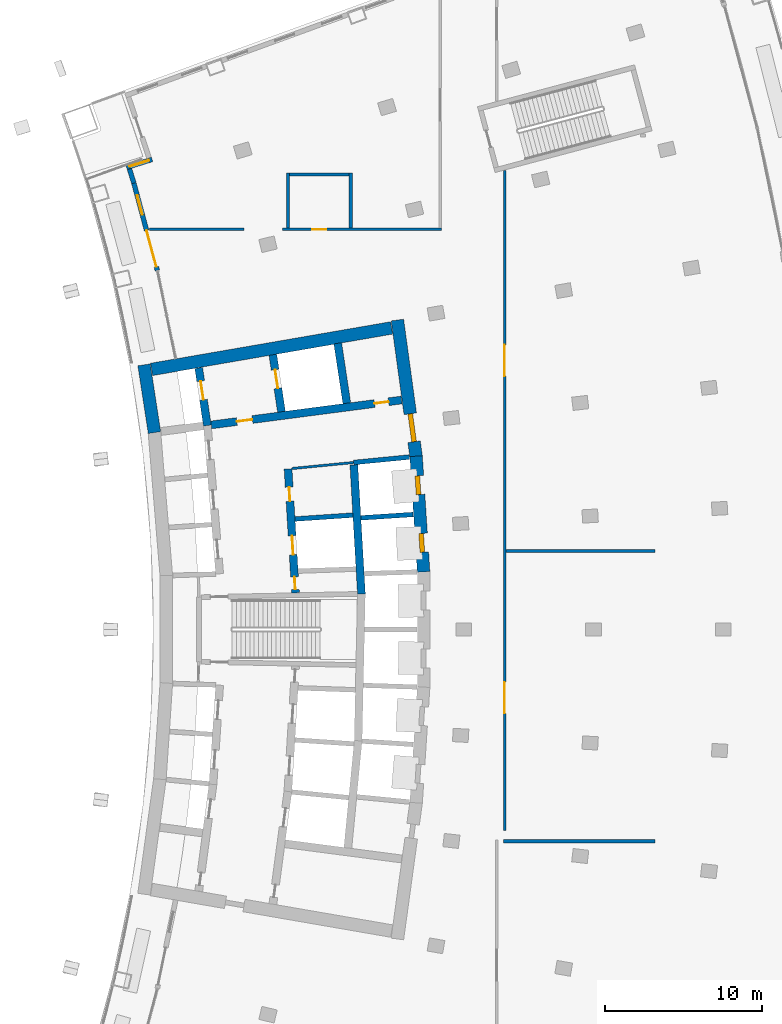
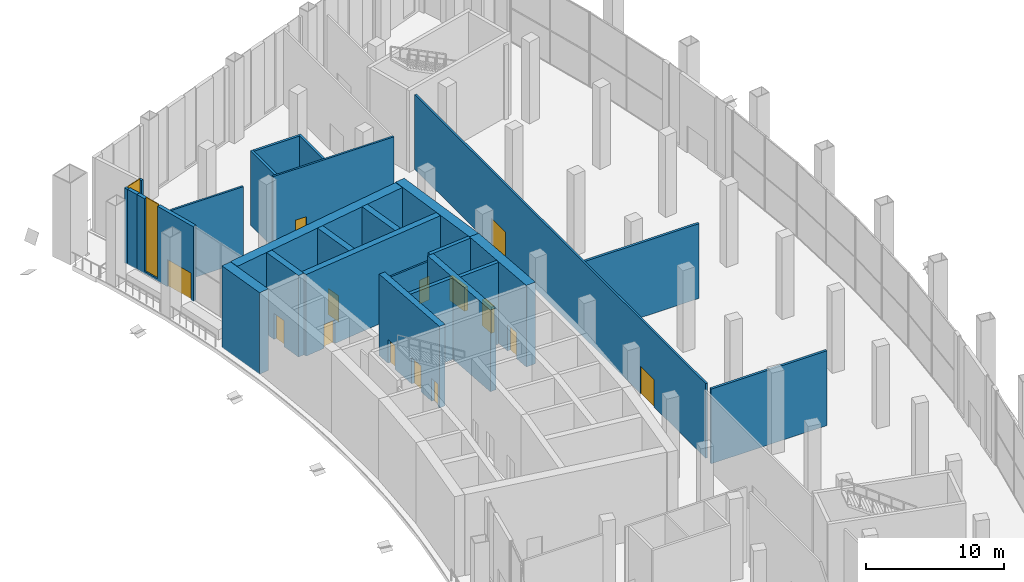
# One storey, part 11 of 18: 25 walls, 14 doors, 2 windows, 16 openings.
"""IFC4 building model written with IfcOpenShell, lengths in metres."""

from ifc_helpers import new_model, si_unit, direction, frame, frame_2d, origin, place, context, subcontext, project, spatial, rectangle, extrude, material, layer, layer_set, type_object, element, fill, save


model = new_model("IFC4")

# Units and contexts
model_context = context("Model", 3, precision=1e-05, world=origin(), true_north=direction((0.0, 1.0)))
body_context = subcontext(model_context, "Body", "Model", "MODEL_VIEW")
ifc_project = project(units=[si_unit("LENGTHUNIT", "METRE"), si_unit("AREAUNIT", "SQUARE_METRE"), si_unit("VOLUMEUNIT", "CUBIC_METRE"), si_unit("PLANEANGLEUNIT", "RADIAN"), si_unit("MASSUNIT", "GRAM", prefix="KILO")], contexts=[model_context])

# Site, building, storey
site_placement = place(None, origin())
site = spatial("IfcSite", under=ifc_project, at=site_placement, CompositionType="ELEMENT")
building_placement = place(site_placement, origin())
building = spatial("IfcBuilding", under=site, at=building_placement, Name="Alderwake Tower", CompositionType="ELEMENT")
storey_placement = place(building_placement, frame((0.0, 0.0, 125.60009765625)))
storey = spatial("IfcBuildingStorey", under=building, at=storey_placement, Name="L31", CompositionType="ELEMENT", Elevation=125.60009765625)

# Walls
ifc_material_1 = material(Name="Gypsum shaft wall system, rated")
ifc_layer_1 = layer(ifc_material_1, 0.14990234375)
ifc_layer_set_1 = layer_set([ifc_layer_1], Name="Core room partition 150")
wall_type_1 = type_object("IfcWallType", Name="Core room partition 150", PredefinedType="PARTITIONING", material=ifc_layer_set_1)
wall_1_placement = place(storey_placement, frame((24.849365234375, 71.259765625, 0.0), z_axis=(0.0, 0.0, 1.0), x_axis=(0.995250272402, 0.097349346605, 0.0)))
element("IfcWall", 1, at=wall_1_placement, inside=storey, type_object=wall_type_1, Name="CW/L31/PR+102_+86", PredefinedType="PARTITIONING", context=body_context, shape_type="SweptSolid", body=[
    extrude(rectangle(XDim=3.949951171875, YDim=0.14990234375, at=frame_2d((1.97509765625, 0.0))), origin(), (0.0, 0.0, 1.0), 6.599853515625),
])
ifc_material_2 = material(Name="Concrete C70/85", Category="concrete")
ifc_layer_2 = layer(ifc_material_2, 0.800048828125)
ifc_layer_set_2 = layer_set([ifc_layer_2], Name="Core wall outer 800 C70-85")
wall_type_2 = type_object("IfcWallType", Name="Core wall outer 800 C70-85", PredefinedType="SHEAR", material=ifc_layer_set_2)
wall_2_placement = place(storey_placement, frame((16.083984375, 73.552490234375, 0.0), z_axis=(0.0, 0.0, 1.0), x_axis=(-0.151981606421, 0.988383322052, 0.0)))
element("IfcWall", 2, at=wall_2_placement, inside=storey, type_object=wall_type_2, Name="Core wall CW.039", PredefinedType="SHEAR", context=body_context, shape_type="SweptSolid", body=[
    extrude(rectangle(XDim=4.369384765625, YDim=0.800048828125, at=frame_2d((2.1845703125, 0.0))), origin(), (0.0, 0.0, 1.0), 7.199951171875),
])

# Wall, openings, doors
wall_3_placement = place(storey_placement, frame((33.240966796875, 64.669677734375, 0.0), z_axis=(0.0, 0.0, 1.0), x_axis=(-0.064976219143, 0.997886812693, 0.0)))
wall_3 = element("IfcWall", 3, at=wall_3_placement, inside=storey, type_object=wall_type_2, Name="Core wall CW.010", PredefinedType="SHEAR", context=body_context, shape_type="SweptSolid", body=[
    extrude(rectangle(XDim=7.39453125, YDim=0.800048828125, at=frame_2d((3.697265625, 0.0))), origin(), (0.0, 0.0, 1.0), 7.199951171875),
])
opening_1_placement = place(wall_3_placement, frame((1.2548828125, 0.0, 0.0)))
opening_1 = element("IfcOpeningElement", 4, at=opening_1_placement, cuts=wall_3, Name="Opening LD-HP5", PredefinedType="OPENING", context=body_context, shape_type="SweptSolid", body=[
    extrude(rectangle(XDim=1.199951171875, YDim=2.300048828125, at=frame_2d((0.60009765625, 1.14990234375))), frame((0.0, 0.409912109375, 0.0), z_axis=(0.0, -1.0, 0.0), x_axis=(1.0, 0.0, 0.0)), (0.0, 0.0, 1.0), 0.820068359375),
])
opening_2_placement = place(wall_3_placement, frame((4.9384765625, 0.0, 0.0)))
opening_2 = element("IfcOpeningElement", 5, at=opening_2_placement, cuts=wall_3, Name="Opening LD-HP6", PredefinedType="OPENING", context=body_context, shape_type="SweptSolid", body=[
    extrude(rectangle(XDim=1.199951171875, YDim=2.300048828125, at=frame_2d((0.60009765625, 1.14990234375))), frame((0.0, 0.409912109375, 0.0), z_axis=(0.0, -1.0, 0.0), x_axis=(1.0, 0.0, 0.0)), (0.0, 0.0, 1.0), 0.820068359375),
])
ifc_material_3 = material(Name="Stainless steel sliding leaf", Category="steel")
door_type_1 = type_object("IfcDoorType", Name="Lift landing door 1200", OperationType="SLIDING_TO_LEFT", PredefinedType="DOOR", material=ifc_material_3)
door_1_placement = place(opening_1_placement, origin())
door_1 = element("IfcDoor", 6, at=door_1_placement, inside=storey, type_object=door_type_1, Name="Lift landing door HP5", OperationType="SLIDING_TO_LEFT", OverallHeight=2.300048828125, OverallWidth=1.199951171875, PredefinedType="DOOR", context=body_context, shape_type="SweptSolid", body=[
    extrude(rectangle(XDim=1.199951171875, YDim=2.300048828125, at=frame_2d((0.60009765625, 1.14990234375))), frame((0.0, 0.14990234375, 0.0), z_axis=(0.0, -1.0, 0.0), x_axis=(1.0, 0.0, 0.0)), (0.0, 0.0, 1.0), 0.300048828125),
])
fill(opening_1, door_1)
door_2_placement = place(opening_2_placement, origin())
door_2 = element("IfcDoor", 7, at=door_2_placement, inside=storey, type_object=door_type_1, Name="Lift landing door HP6", OperationType="SLIDING_TO_LEFT", OverallHeight=2.300048828125, OverallWidth=1.199951171875, PredefinedType="DOOR", context=body_context, shape_type="SweptSolid", body=[
    extrude(rectangle(XDim=1.199951171875, YDim=2.300048828125, at=frame_2d((0.60009765625, 1.14990234375))), frame((0.0, 0.14990234375, 0.0), z_axis=(0.0, -1.0, 0.0), x_axis=(1.0, 0.0, 0.0)), (0.0, 0.0, 1.0), 0.300048828125),
])
fill(opening_2, door_2)

# Wall, opening, door
wall_4_placement = place(storey_placement, frame((31.569580078125, 80.7265625, 0.0), z_axis=(0.0, 0.0, 1.0), x_axis=(0.135838347444, -0.990731014637, 0.0)))
wall_4 = element("IfcWall", 8, at=wall_4_placement, inside=storey, type_object=wall_type_2, Name="Core wall CW.009", PredefinedType="SHEAR", context=body_context, shape_type="SweptSolid", body=[
    extrude(rectangle(XDim=8.788818359375, YDim=0.800048828125, at=frame_2d((4.39453125, 0.0))), origin(), (0.0, 0.0, 1.0), 7.199951171875),
])
opening_3_placement = place(wall_4_placement, frame((6.032958984375, 0.0, 0.0)))
opening_3 = element("IfcOpeningElement", 9, at=opening_3_placement, cuts=wall_4, Name="Opening C001", PredefinedType="OPENING", context=body_context, shape_type="SweptSolid", body=[
    extrude(rectangle(XDim=1.800048828125, YDim=2.10009765625, at=frame_2d((0.89990234375, 1.050048828125))), frame((0.0, 0.409912109375, 0.0), z_axis=(0.0, -1.0, 0.0), x_axis=(1.0, 0.0, 0.0)), (0.0, 0.0, 1.0), 0.820068359375),
])
ifc_material_4 = material(Name="Steel-framed fire door leaves", Category="steel")
door_type_2 = type_object("IfcDoorType", Name="Core double door 1800 fire-rated", OperationType="DOUBLE_DOOR_SINGLE_SWING", PredefinedType="DOOR", material=ifc_material_4)
door_3_placement = place(opening_3_placement, origin())
door_3 = element("IfcDoor", 10, at=door_3_placement, inside=storey, type_object=door_type_2, Name="Lobby double door", OperationType="DOUBLE_DOOR_SINGLE_SWING", OverallHeight=2.10009765625, OverallWidth=1.800048828125, PredefinedType="DOOR", context=body_context, shape_type="SweptSolid", body=[
    extrude(rectangle(XDim=1.800048828125, YDim=2.10009765625, at=frame_2d((0.89990234375, 1.050048828125))), frame((0.0, 0.14990234375, 0.0), z_axis=(0.0, -1.0, 0.0), x_axis=(1.0, 0.0, 0.0)), (0.0, 0.0, 1.0), 0.300048828125),
])
fill(opening_3, door_3)

# Walls
wall_5_placement = place(storey_placement, frame((15.900146484375, 77.577880859375, 0.0), z_axis=(0.0, 0.0, 1.0), x_axis=(0.985386601125, 0.170332751763, 0.0)))
element("IfcWall", 11, at=wall_5_placement, inside=storey, type_object=wall_type_2, Name="Core wall CW.054", PredefinedType="SHEAR", context=body_context, shape_type="SweptSolid", body=[
    extrude(rectangle(XDim=15.531494140625, YDim=0.800048828125, at=frame_2d((7.765625, 0.0))), origin(), (0.0, 0.0, 1.0), 7.199951171875),
])
ifc_material_5 = material(Name="Concrete C70/85", Category="concrete")
ifc_layer_3 = layer(ifc_material_5, 0.300048828125)
ifc_layer_set_3 = layer_set([ifc_layer_3], Name="Core wall shaft 300 C70-85")
wall_type_3 = type_object("IfcWallType", Name="Core wall shaft 300 C70-85", PredefinedType="SHEAR", material=ifc_layer_set_3)
wall_6_placement = place(storey_placement, frame((29.243408203125, 68.11376953125, 0.0), z_axis=(0.0, 0.0, 1.0), x_axis=(0.997885372829, 0.0649983284, 0.0)))
element("IfcWall", 12, at=wall_6_placement, inside=storey, type_object=wall_type_3, Name="Core wall CW.061", PredefinedType="SHEAR", context=body_context, shape_type="SweptSolid", body=[
    extrude(rectangle(XDim=3.33544921875, YDim=0.300048828125, at=frame_2d((1.667724609375, 0.0))), origin(), (0.0, 0.0, 1.0), 7.199951171875),
])
wall_7_placement = place(storey_placement, frame((25.042236328125, 68.0419921875, 0.0), z_axis=(0.0, 0.0, 1.0), x_axis=(0.997761434239, 0.066873913781, 0.0)))
element("IfcWall", 13, at=wall_7_placement, inside=storey, type_object=wall_type_3, Name="Core wall CW.063", PredefinedType="SHEAR", context=body_context, shape_type="SweptSolid", body=[
    extrude(rectangle(XDim=3.6982421875, YDim=0.300048828125, at=frame_2d((1.84912109375, 0.0))), origin(), (0.0, 0.0, 1.0), 7.199951171875),
])
wall_8_placement = place(storey_placement, frame((28.780517578125, 71.644287109375, 0.0), z_axis=(0.0, 0.0, 1.0), x_axis=(0.995246218868, 0.097390778977, 0.0)))
element("IfcWall", 14, at=wall_8_placement, inside=storey, type_object=wall_type_3, Name="Core wall CW.049", PredefinedType="SHEAR", context=body_context, shape_type="SweptSolid", body=[
    extrude(rectangle(XDim=3.56982421875, YDim=0.300048828125, at=frame_2d((1.784912109375, 0.0))), origin(), (0.0, 0.0, 1.0), 7.199951171875),
])

# Wall, opening, door
ifc_material_6 = material(Name="Concrete C70/85", Category="concrete")
ifc_layer_4 = layer(ifc_material_6, 0.5)
ifc_layer_set_4 = layer_set([ifc_layer_4], Name="Core wall spine 500 C70-85")
wall_type_4 = type_object("IfcWallType", Name="Core wall spine 500 C70-85", PredefinedType="SHEAR", material=ifc_layer_set_4)
wall_9_placement = place(storey_placement, frame((19.4541015625, 73.9990234375, 0.0), z_axis=(0.0, 0.0, 1.0), x_axis=(-0.14792928808, 0.988997940204, 0.0)))
wall_9 = element("IfcWall", 15, at=wall_9_placement, inside=storey, type_object=wall_type_4, Name="Core wall CW.030", PredefinedType="SHEAR", context=body_context, shape_type="SweptSolid", body=[
    extrude(rectangle(XDim=3.716552734375, YDim=0.5, at=frame_2d((1.8583984375, 0.0))), origin(), (0.0, 0.0, 1.0), 7.199951171875),
])
opening_4_placement = place(wall_9_placement, frame((1.66259765625, 0.0, 0.0)))
opening_4 = element("IfcOpeningElement", 16, at=opening_4_placement, cuts=wall_9, Name="Opening LD-FF1", PredefinedType="OPENING", context=body_context, shape_type="SweptSolid", body=[
    extrude(rectangle(XDim=1.199951171875, YDim=2.300048828125, at=frame_2d((0.60009765625, 1.14990234375))), frame((0.0, 0.260009765625, 0.0), z_axis=(0.0, -1.0, 0.0), x_axis=(1.0, 0.0, 0.0)), (0.0, 0.0, 1.0), 0.52001953125),
])
door_4_placement = place(opening_4_placement, origin())
door_4 = element("IfcDoor", 17, at=door_4_placement, inside=storey, type_object=door_type_1, Name="Lift landing door FF1", OperationType="SLIDING_TO_LEFT", OverallHeight=2.300048828125, OverallWidth=1.199951171875, PredefinedType="DOOR", context=body_context, shape_type="SweptSolid", body=[
    extrude(rectangle(XDim=1.199951171875, YDim=2.300048828125, at=frame_2d((0.60009765625, 1.14990234375))), frame((0.0, 0.02490234375, 0.0), z_axis=(0.0, -1.0, 0.0), x_axis=(1.0, 0.0, 0.0)), (0.0, 0.0, 1.0), 0.050048828125),
])
fill(opening_4, door_4)

# Wall, openings, doors
wall_10_placement = place(storey_placement, frame((25.073974609375, 63.335693359375, 0.0), z_axis=(0.0, 0.0, 1.0), x_axis=(-0.059848641072, 0.998207463487, 0.0)))
wall_10 = element("IfcWall", 18, at=wall_10_placement, inside=storey, type_object=wall_type_4, Name="Core wall CW.045", PredefinedType="SHEAR", context=body_context, shape_type="SweptSolid", body=[
    extrude(rectangle(XDim=7.913818359375, YDim=0.5, at=frame_2d((3.95703125, 0.0))), origin(), (0.0, 0.0, 1.0), 7.199951171875),
])
opening_5_placement = place(wall_10_placement, frame((2.440185546875, 0.0, 0.0)))
opening_5 = element("IfcOpeningElement", 19, at=opening_5_placement, cuts=wall_10, Name="Opening LD-SH4", PredefinedType="OPENING", context=body_context, shape_type="SweptSolid", body=[
    extrude(rectangle(XDim=1.199951171875, YDim=2.300048828125, at=frame_2d((0.60009765625, 1.14990234375))), frame((0.0, 0.260009765625, 0.0), z_axis=(0.0, -1.0, 0.0), x_axis=(1.0, 0.0, 0.0)), (0.0, 0.0, 1.0), 0.52001953125),
])
opening_6_placement = place(wall_10_placement, frame((0.216064453125, 0.0, 0.0)))
opening_6 = element("IfcOpeningElement", 20, at=opening_6_placement, cuts=wall_10, Name="Opening C005", PredefinedType="OPENING", context=body_context, shape_type="SweptSolid", body=[
    extrude(rectangle(XDim=0.800048828125, YDim=2.0, at=frame_2d((0.39990234375, 1.0))), frame((0.0, 0.260009765625, 0.0), z_axis=(0.0, -1.0, 0.0), x_axis=(1.0, 0.0, 0.0)), (0.0, 0.0, 1.0), 0.52001953125),
])
opening_7_placement = place(wall_10_placement, frame((5.856201171875, 0.0, 0.0)))
opening_7 = element("IfcOpeningElement", 21, at=opening_7_placement, cuts=wall_10, Name="Opening C023", PredefinedType="OPENING", context=body_context, shape_type="SweptSolid", body=[
    extrude(rectangle(XDim=0.89990234375, YDim=2.10009765625, at=frame_2d((0.449951171875, 1.050048828125))), frame((0.0, 0.260009765625, 0.0), z_axis=(0.0, -1.0, 0.0), x_axis=(1.0, 0.0, 0.0)), (0.0, 0.0, 1.0), 0.52001953125),
])
ifc_material_7 = material(Name="Painted steel leaf", Category="steel")
door_type_3 = type_object("IfcDoorType", Name="Core room door 900", OperationType="SINGLE_SWING_LEFT", PredefinedType="DOOR", material=ifc_material_7)
door_5_placement = place(opening_7_placement, origin())
door_5 = element("IfcDoor", 22, at=door_5_placement, inside=storey, type_object=door_type_3, Name="Room door", OperationType="SINGLE_SWING_RIGHT", OverallHeight=2.10009765625, OverallWidth=0.89990234375, PredefinedType="DOOR", context=body_context, shape_type="SweptSolid", body=[
    extrude(rectangle(XDim=0.89990234375, YDim=2.10009765625, at=frame_2d((0.449951171875, 1.050048828125))), frame((0.0, 0.02490234375, 0.0), z_axis=(0.0, -1.0, 0.0), x_axis=(1.0, 0.0, 0.0)), (0.0, 0.0, 1.0), 0.050048828125),
])
fill(opening_7, door_5)
door_6_placement = place(opening_5_placement, origin())
door_6 = element("IfcDoor", 23, at=door_6_placement, inside=storey, type_object=door_type_1, Name="Lift landing door SH4", OperationType="SLIDING_TO_LEFT", OverallHeight=2.300048828125, OverallWidth=1.199951171875, PredefinedType="DOOR", context=body_context, shape_type="SweptSolid", body=[
    extrude(rectangle(XDim=1.199951171875, YDim=2.300048828125, at=frame_2d((0.60009765625, 1.14990234375))), frame((0.0, 0.02490234375, 0.0), z_axis=(0.0, -1.0, 0.0), x_axis=(1.0, 0.0, 0.0)), (0.0, 0.0, 1.0), 0.050048828125),
])
fill(opening_5, door_6)
ifc_material_8 = material(Name="Painted steel leaf, rated", Category="steel")
door_type_4 = type_object("IfcDoorType", Name="Riser access door 800", OperationType="SINGLE_SWING_LEFT", PredefinedType="DOOR", material=ifc_material_8)
door_7_placement = place(opening_6_placement, origin())
door_7 = element("IfcDoor", 24, at=door_7_placement, inside=storey, type_object=door_type_4, Name="Riser access door", OperationType="SINGLE_SWING_LEFT", OverallHeight=2.0, OverallWidth=0.800048828125, PredefinedType="DOOR", context=body_context, shape_type="SweptSolid", body=[
    extrude(rectangle(XDim=0.800048828125, YDim=2.0, at=frame_2d((0.39990234375, 1.0))), frame((0.0, 0.02490234375, 0.0), z_axis=(0.0, -1.0, 0.0), x_axis=(1.0, 0.0, 0.0)), (0.0, 0.0, 1.0), 0.050048828125),
])
fill(opening_6, door_7)

# Wall, opening, door
wall_11_placement = place(storey_placement, frame((24.1796875, 74.878173828125, 0.0), z_axis=(0.0, 0.0, 1.0), x_axis=(-0.149334835296, 0.988786684259, 0.0)))
wall_11 = element("IfcWall", 25, at=wall_11_placement, inside=storey, type_object=wall_type_4, Name="Core wall CW.044", PredefinedType="SHEAR", context=body_context, shape_type="SweptSolid", body=[
    extrude(rectangle(XDim=3.673583984375, YDim=0.5, at=frame_2d((1.8369140625, 0.0))), origin(), (0.0, 0.0, 1.0), 7.199951171875),
])
opening_8_placement = place(wall_11_placement, frame((1.51171875, 0.0, 0.0)))
opening_8 = element("IfcOpeningElement", 26, at=opening_8_placement, cuts=wall_11, Name="Opening LD-FF2", PredefinedType="OPENING", context=body_context, shape_type="SweptSolid", body=[
    extrude(rectangle(XDim=1.199951171875, YDim=2.300048828125, at=frame_2d((0.60009765625, 1.14990234375))), frame((0.0, 0.260009765625, 0.0), z_axis=(0.0, -1.0, 0.0), x_axis=(1.0, 0.0, 0.0)), (0.0, 0.0, 1.0), 0.52001953125),
])
door_8_placement = place(opening_8_placement, origin())
door_8 = element("IfcDoor", 27, at=door_8_placement, inside=storey, type_object=door_type_1, Name="Lift landing door FF2", OperationType="SLIDING_TO_LEFT", OverallHeight=2.300048828125, OverallWidth=1.199951171875, PredefinedType="DOOR", context=body_context, shape_type="SweptSolid", body=[
    extrude(rectangle(XDim=1.199951171875, YDim=2.300048828125, at=frame_2d((0.60009765625, 1.14990234375))), frame((0.0, 0.02490234375, 0.0), z_axis=(0.0, -1.0, 0.0), x_axis=(1.0, 0.0, 0.0)), (0.0, 0.0, 1.0), 0.050048828125),
])
fill(opening_8, door_8)

# Walls
wall_12_placement = place(storey_placement, frame((29.277099609375, 63.2626953125, 0.0), z_axis=(0.0, 0.0, 1.0), x_axis=(-0.058470375432, 0.998289144084, 0.0)))
element("IfcWall", 28, at=wall_12_placement, inside=storey, type_object=wall_type_4, Name="Core wall CW.002", PredefinedType="SHEAR", context=body_context, shape_type="SweptSolid", body=[
    extrude(rectangle(XDim=8.24658203125, YDim=0.5, at=frame_2d((4.123291015625, 0.0))), origin(), (0.0, 0.0, 1.0), 7.199951171875),
])
wall_13_placement = place(storey_placement, frame((28.34423828125, 75.4228515625, 0.0), z_axis=(0.0, 0.0, 1.0), x_axis=(-0.14943460482, 0.988771611082, 0.0)))
element("IfcWall", 29, at=wall_13_placement, inside=storey, type_object=wall_type_4, Name="Core wall CW.001", PredefinedType="SHEAR", context=body_context, shape_type="SweptSolid", body=[
    extrude(rectangle(XDim=3.8623046875, YDim=0.5, at=frame_2d((1.93115234375, 0.0))), origin(), (0.0, 0.0, 1.0), 7.199951171875),
])

# Wall, openings, doors
wall_14_placement = place(storey_placement, frame((31.834716796875, 75.627197265625, 0.0), z_axis=(0.0, 0.0, 1.0), x_axis=(-0.991555516999, -0.129682908318, 0.0)))
wall_14 = element("IfcWall", 30, at=wall_14_placement, inside=storey, type_object=wall_type_4, Name="Core wall CW.052", PredefinedType="SHEAR", context=body_context, shape_type="SweptSolid", body=[
    extrude(rectangle(XDim=12.23681640625, YDim=0.5, at=frame_2d((6.118408203125, 0.0))), origin(), (0.0, 0.0, 1.0), 7.199951171875),
])
opening_9_placement = place(wall_14_placement, frame((9.587158203125, 0.0, 0.0)))
opening_9 = element("IfcOpeningElement", 31, at=opening_9_placement, cuts=wall_14, Name="Opening C002", PredefinedType="OPENING", context=body_context, shape_type="SweptSolid", body=[
    extrude(rectangle(XDim=1.0, YDim=2.10009765625, at=frame_2d((0.5, 1.050048828125))), frame((0.0, 0.260009765625, 0.0), z_axis=(0.0, -1.0, 0.0), x_axis=(1.0, 0.0, 0.0)), (0.0, 0.0, 1.0), 0.52001953125),
])
opening_10_placement = place(wall_14_placement, frame((0.837158203125, 0.0, 0.0)))
opening_10 = element("IfcOpeningElement", 32, at=opening_10_placement, cuts=wall_14, Name="Opening C020", PredefinedType="OPENING", context=body_context, shape_type="SweptSolid", body=[
    extrude(rectangle(XDim=0.89990234375, YDim=2.10009765625, at=frame_2d((0.449951171875, 1.050048828125))), frame((0.0, 0.260009765625, 0.0), z_axis=(0.0, -1.0, 0.0), x_axis=(1.0, 0.0, 0.0)), (0.0, 0.0, 1.0), 0.52001953125),
])
door_9_placement = place(opening_10_placement, origin())
door_9 = element("IfcDoor", 33, at=door_9_placement, inside=storey, type_object=door_type_3, Name="Room door", OperationType="SINGLE_SWING_LEFT", OverallHeight=2.10009765625, OverallWidth=0.89990234375, PredefinedType="DOOR", context=body_context, shape_type="SweptSolid", body=[
    extrude(rectangle(XDim=0.89990234375, YDim=2.10009765625, at=frame_2d((0.449951171875, 1.050048828125))), frame((0.0, 0.02490234375, 0.0), z_axis=(0.0, -1.0, 0.0), x_axis=(1.0, 0.0, 0.0)), (0.0, 0.0, 1.0), 0.050048828125),
])
fill(opening_10, door_9)
ifc_material_9 = material(Name="Steel-framed fire door leaf", Category="steel")
door_type_5 = type_object("IfcDoorType", Name="Firefighting lobby door 1000 fire-rated", OperationType="SINGLE_SWING_LEFT", PredefinedType="DOOR", material=ifc_material_9)
door_10_placement = place(opening_9_placement, origin())
door_10 = element("IfcDoor", 34, at=door_10_placement, inside=storey, type_object=door_type_5, Name="Firefighting lobby door", OperationType="SINGLE_SWING_RIGHT", OverallHeight=2.10009765625, OverallWidth=1.0, PredefinedType="DOOR", context=body_context, shape_type="SweptSolid", body=[
    extrude(rectangle(XDim=1.0, YDim=2.10009765625, at=frame_2d((0.5, 1.050048828125))), frame((0.0, 0.02490234375, 0.0), z_axis=(0.0, -1.0, 0.0), x_axis=(1.0, 0.0, 0.0)), (0.0, 0.0, 1.0), 0.050048828125),
])
fill(opening_9, door_10)

# Wall
ifc_material_10 = material(Name="Gypsum board on metal studs, rated")
ifc_layer_5 = layer(ifc_material_10, 0.159912109375)
ifc_layer_set_5 = layer_set([ifc_layer_5], Name="Corridor wall 160")
wall_type_5 = type_object("IfcWallType", Name="Corridor wall 160", PredefinedType="PARTITIONING", material=ifc_layer_set_5)
wall_15_placement = place(storey_placement, frame((21.785888671875, 86.4990234375, 0.0), z_axis=(0.0, 0.0, 1.0), x_axis=(-1.0, 0.0, 0.0)))
element("IfcWall", 35, at=wall_15_placement, inside=storey, type_object=wall_type_5, Name="WL/L31/W11", PredefinedType="PARTITIONING", context=body_context, shape_type="SweptSolid", body=[
    extrude(rectangle(XDim=6.00390625, YDim=0.159912109375, at=frame_2d((3.001953125, 0.0))), origin(), (0.0, 0.0, 1.0), 6.599853515625),
])

# Wall, opening, door
wall_16_placement = place(storey_placement, frame((34.37890625, 86.4990234375, 0.0), z_axis=(0.0, 0.0, 1.0), x_axis=(-1.0, 0.0, 0.0)))
wall_16 = element("IfcWall", 36, at=wall_16_placement, inside=storey, type_object=wall_type_5, Name="WL/L31/W14", PredefinedType="PARTITIONING", context=body_context, shape_type="SweptSolid", body=[
    extrude(rectangle(XDim=10.120849609375, YDim=0.159912109375, at=frame_2d((5.060546875, 0.0))), origin(), (0.0, 0.0, 1.0), 6.599853515625),
])
opening_11_placement = place(wall_16_placement, frame((7.3291015625, 0.0, 0.0)))
opening_11 = element("IfcOpeningElement", 37, at=opening_11_placement, cuts=wall_16, Name="Opening L31-09", PredefinedType="OPENING", context=body_context, shape_type="SweptSolid", body=[
    extrude(rectangle(XDim=0.89990234375, YDim=2.10009765625, at=frame_2d((0.449951171875, 1.050048828125))), frame((0.0, 0.08984375, 0.0), z_axis=(0.0, -1.0, 0.0), x_axis=(1.0, 0.0, 0.0)), (0.0, 0.0, 1.0), 0.179931640625),
])
ifc_material_11 = material(Name="Painted timber leaf", Category="wood")
door_type_6 = type_object("IfcDoorType", Name="Room door 900", OperationType="SINGLE_SWING_LEFT", PredefinedType="DOOR", material=ifc_material_11)
door_11_placement = place(opening_11_placement, origin())
door_11 = element("IfcDoor", 38, at=door_11_placement, inside=storey, type_object=door_type_6, Name="DR/L31/09", OperationType="SINGLE_SWING_LEFT", OverallHeight=2.10009765625, OverallWidth=0.89990234375, PredefinedType="DOOR", context=body_context, shape_type="SweptSolid", body=[
    extrude(rectangle(XDim=0.89990234375, YDim=2.10009765625, at=frame_2d((0.449951171875, 1.050048828125))), frame((0.0, 0.02490234375, 0.0), z_axis=(0.0, -1.0, 0.0), x_axis=(1.0, 0.0, 0.0)), (0.0, 0.0, 1.0), 0.050048828125),
])
fill(opening_11, door_11)

# Wall, openings, doors
wall_17_placement = place(storey_placement, frame((38.39990234375, 48.198974609375, 0.0), z_axis=(0.0, 0.0, 1.0), x_axis=(0.0, 1.0, 0.0)))
wall_17 = element("IfcWall", 39, at=wall_17_placement, inside=storey, type_object=wall_type_5, Name="WL/L31/W20", PredefinedType="PARTITIONING", context=body_context, shape_type="SweptSolid", body=[
    extrude(rectangle(XDim=42.06591796875, YDim=0.159912109375, at=frame_2d((21.032958984375, 0.0))), origin(), (0.0, 0.0, 1.0), 6.599853515625),
])
opening_12_placement = place(wall_17_placement, frame((7.450927734375, 0.0, 0.0)))
opening_12 = element("IfcOpeningElement", 40, at=opening_12_placement, cuts=wall_17, Name="Opening L31-02", PredefinedType="OPENING", context=body_context, shape_type="SweptSolid", body=[
    extrude(rectangle(XDim=2.0, YDim=2.39990234375, at=frame_2d((1.0, 1.199951171875))), frame((0.0, 0.08984375, 0.0), z_axis=(0.0, -1.0, 0.0), x_axis=(1.0, 0.0, 0.0)), (0.0, 0.0, 1.0), 0.179931640625),
])
opening_13_placement = place(wall_17_placement, frame((28.950927734375, 0.0, 0.0)))
opening_13 = element("IfcOpeningElement", 41, at=opening_13_placement, cuts=wall_17, Name="Opening L31-03", PredefinedType="OPENING", context=body_context, shape_type="SweptSolid", body=[
    extrude(rectangle(XDim=2.0, YDim=2.39990234375, at=frame_2d((1.0, 1.199951171875))), frame((0.0, 0.08984375, 0.0), z_axis=(0.0, -1.0, 0.0), x_axis=(1.0, 0.0, 0.0)), (0.0, 0.0, 1.0), 0.179931640625),
])
ifc_material_12 = material(Name="Timber leaves with glazed panels", Category="wood")
door_type_7 = type_object("IfcDoorType", Name="Hall double door 2000", OperationType="DOUBLE_DOOR_SINGLE_SWING", PredefinedType="DOOR", material=ifc_material_12)
door_12_placement = place(opening_12_placement, origin())
door_12 = element("IfcDoor", 42, at=door_12_placement, inside=storey, type_object=door_type_7, Name="DR/L31/02", OperationType="DOUBLE_DOOR_SINGLE_SWING", OverallHeight=2.39990234375, OverallWidth=2.0, PredefinedType="DOOR", context=body_context, shape_type="SweptSolid", body=[
    extrude(rectangle(XDim=2.0, YDim=2.39990234375, at=frame_2d((1.0, 1.199951171875))), frame((0.0, 0.02490234375, 0.0), z_axis=(0.0, -1.0, 0.0), x_axis=(1.0, 0.0, 0.0)), (0.0, 0.0, 1.0), 0.050048828125),
])
fill(opening_12, door_12)
door_13_placement = place(opening_13_placement, origin())
door_13 = element("IfcDoor", 43, at=door_13_placement, inside=storey, type_object=door_type_7, Name="DR/L31/03", OperationType="DOUBLE_DOOR_SINGLE_SWING", OverallHeight=2.39990234375, OverallWidth=2.0, PredefinedType="DOOR", context=body_context, shape_type="SweptSolid", body=[
    extrude(rectangle(XDim=2.0, YDim=2.39990234375, at=frame_2d((1.0, 1.199951171875))), frame((0.0, 0.02490234375, 0.0), z_axis=(0.0, -1.0, 0.0), x_axis=(1.0, 0.0, 0.0)), (0.0, 0.0, 1.0), 0.050048828125),
])
fill(opening_13, door_13)

# Wall
ifc_material_13 = material(Name="Precast concrete C50/60 spandrel panel", Category="concrete")
ifc_layer_6 = layer(ifc_material_13, 0.300048828125)
ifc_layer_set_6 = layer_set([ifc_layer_6], Name="External wall EW1 Precast concrete C50/60 spandrel")
wall_type_6 = type_object("IfcWallType", Name="External wall EW1 Precast concrete C50/60 spandrel", PredefinedType="SOLIDWALL", material=ifc_layer_set_6)
wall_18_placement = place(storey_placement, frame((14.4931640625, 90.35400390625, 0.0), z_axis=(0.0, 0.0, 1.0), x_axis=(0.294777455022, -0.955565932843, 0.0)))
element("IfcWall", 44, at=wall_18_placement, inside=storey, type_object=wall_type_6, Name="External wall 2", PredefinedType="SOLIDWALL", context=body_context, shape_type="SweptSolid", body=[
    extrude(rectangle(XDim=0.942626953125, YDim=0.300048828125, at=frame_2d((0.47119140625, 0.0))), origin(), (0.0, 0.0, 1.0), 6.599853515625),
])

# Wall, openings, door, window
wall_19_placement = place(storey_placement, frame((14.771484375, 89.45166015625, 0.0), z_axis=(0.0, 0.0, 1.0), x_axis=(0.259487737496, -0.965746402576, 0.0)))
wall_19 = element("IfcWall", 45, at=wall_19_placement, inside=storey, type_object=wall_type_6, Name="External wall 3", PredefinedType="SOLIDWALL", context=body_context, shape_type="SweptSolid", body=[
    extrude(rectangle(XDim=5.768310546875, YDim=0.300048828125, at=frame_2d((2.88427734375, 0.0))), origin(), (0.0, 0.0, 1.0), 6.599853515625),
])
opening_14_placement = place(wall_19_placement, frame((0.7919921875, 0.0, 0.199951171875)))
opening_14 = element("IfcOpeningElement", 46, at=opening_14_placement, cuts=wall_19, Name="Opening W5", PredefinedType="OPENING", context=body_context, shape_type="SweptSolid", body=[
    extrude(rectangle(XDim=1.300048828125, YDim=6.5, at=frame_2d((0.64990234375, 3.25))), frame((0.0, 0.159912109375, 0.0), z_axis=(0.0, -1.0, 0.0), x_axis=(1.0, 0.0, 0.0)), (0.0, 0.0, 1.0), 0.320068359375),
])
opening_15_placement = place(wall_19_placement, frame((3.126220703125, 0.0, 0.0)))
opening_15 = element("IfcOpeningElement", 47, at=opening_15_placement, cuts=wall_19, Name="Opening D01", PredefinedType="OPENING", context=body_context, shape_type="SweptSolid", body=[
    extrude(rectangle(XDim=2.39990234375, YDim=2.39990234375, at=frame_2d((1.199951171875, 1.199951171875))), frame((0.0, 0.159912109375, 0.0), z_axis=(0.0, -1.0, 0.0), x_axis=(1.0, 0.0, 0.0)), (0.0, 0.0, 1.0), 0.320068359375),
])
ifc_material_14 = material(Name="Bronze tinted glass in aluminium frame", Category="aluminium")
door_type_8 = type_object("IfcDoorType", Name="Garden door GD sliding", OperationType="DOUBLE_DOOR_SINGLE_SWING", PredefinedType="DOOR", material=ifc_material_14)
door_14_placement = place(opening_15_placement, origin())
door_14 = element("IfcDoor", 48, at=door_14_placement, inside=storey, type_object=door_type_8, Name="Door D01", OperationType="DOUBLE_DOOR_SINGLE_SWING", OverallHeight=2.39990234375, OverallWidth=2.39990234375, PredefinedType="DOOR", context=body_context, shape_type="SweptSolid", body=[
    extrude(rectangle(XDim=2.39990234375, YDim=2.39990234375, at=frame_2d((1.199951171875, 1.199951171875))), frame((0.0, 0.02490234375, 0.0), z_axis=(0.0, -1.0, 0.0), x_axis=(1.0, 0.0, 0.0)), (0.0, 0.0, 1.0), 0.050048828125),
])
fill(opening_15, door_14)
ifc_material_15 = material(Name="Bronze tinted glass in aluminium frame", Category="aluminium")
window_type = type_object("IfcWindowType", Name="Window W5 garden floor tall", PartitioningType="SINGLE_PANEL", PredefinedType="WINDOW", material=ifc_material_15)
window_1_placement = place(opening_14_placement, origin())
window_1 = element("IfcWindow", 49, at=window_1_placement, inside=storey, type_object=window_type, Name="Window W5 garden floor tall", OverallHeight=6.5, OverallWidth=1.300048828125, PartitioningType="SINGLE_PANEL", PredefinedType="WINDOW", context=body_context, shape_type="SweptSolid", body=[
    extrude(rectangle(XDim=1.300048828125, YDim=6.5, at=frame_2d((0.64990234375, 3.25))), frame((0.0, 0.030029296875, 0.0), z_axis=(0.0, -1.0, 0.0), x_axis=(1.0, 0.0, 0.0)), (0.0, 0.0, 1.0), 0.06005859375),
])
fill(opening_14, window_1)

# Wall, opening, window
ifc_material_16 = material(Name="Bronze metal cladding on lightweight framing")
ifc_layer_7 = layer(ifc_material_16, 0.300048828125)
ifc_layer_set_7 = layer_set([ifc_layer_7], Name="External wall EW2 bronze metal cladding")
wall_type_7 = type_object("IfcWallType", Name="External wall EW2 bronze metal cladding", PredefinedType="SOLIDWALL", material=ifc_layer_set_7)
wall_20_placement = place(storey_placement, frame((15.932373046875, 90.966552734375, 0.0), z_axis=(0.0, 0.0, 1.0), x_axis=(-0.953491772276, -0.301419044193, 0.0)))
wall_20 = element("IfcWall", 50, at=wall_20_placement, inside=storey, type_object=wall_type_7, Name="External wall 1", PredefinedType="SOLIDWALL", context=body_context, shape_type="SweptSolid", body=[
    extrude(rectangle(XDim=1.705810546875, YDim=0.300048828125, at=frame_2d((0.85302734375, 0.0))), origin(), (0.0, 0.0, 1.0), 6.599853515625),
])
opening_16_placement = place(wall_20_placement, frame((0.202880859375, 0.0, 0.199951171875)))
opening_16 = element("IfcOpeningElement", 51, at=opening_16_placement, cuts=wall_20, Name="Opening W5", PredefinedType="OPENING", context=body_context, shape_type="SweptSolid", body=[
    extrude(rectangle(XDim=1.300048828125, YDim=6.5, at=frame_2d((0.64990234375, 3.25))), frame((0.0, 0.159912109375, 0.0), z_axis=(0.0, -1.0, 0.0), x_axis=(1.0, 0.0, 0.0)), (0.0, 0.0, 1.0), 0.320068359375),
])
window_2_placement = place(opening_16_placement, origin())
window_2 = element("IfcWindow", 52, at=window_2_placement, inside=storey, type_object=window_type, Name="Window W5 garden floor tall", OverallHeight=6.5, OverallWidth=1.300048828125, PartitioningType="SINGLE_PANEL", PredefinedType="WINDOW", context=body_context, shape_type="SweptSolid", body=[
    extrude(rectangle(XDim=1.300048828125, YDim=6.5, at=frame_2d((0.64990234375, 3.25))), frame((0.0, 0.030029296875, 0.0), z_axis=(0.0, -1.0, 0.0), x_axis=(1.0, 0.0, 0.0)), (0.0, 0.0, 1.0), 0.06005859375),
])
fill(opening_16, window_2)

# Walls
ifc_material_17 = material(Name="Dense block masonry wall", Category="masonry")
ifc_layer_8 = layer(ifc_material_17, 0.199951171875)
ifc_layer_set_8 = layer_set([ifc_layer_8], Name="Party wall 200")
wall_type_8 = type_object("IfcWallType", Name="Party wall 200", PredefinedType="SOLIDWALL", material=ifc_layer_set_8)
for number, where, z_axis, x_axis, name in (
    (53, (24.60009765625, 90.10009765625, 0.0), (0.0, 0.0, 1.0), (0.0, -1.0, 0.0), "WL/L31/W03"),
    (54, (28.59912109375, 86.5791015625, 0.0), (0.0, 0.0, 1.0), (0.0, 1.0, 0.0), "WL/L31/W04"),
):
    element("IfcWall", number, at=place(storey_placement, frame(where, z_axis=z_axis, x_axis=x_axis)), inside=storey, type_object=wall_type_8, Name=name, PredefinedType="SOLIDWALL", context=body_context, shape_type="SweptSolid", body=[
        extrude(rectangle(XDim=3.52099609375, YDim=0.199951171875, at=frame_2d((1.760498046875, 0.0))), origin(), (0.0, 0.0, 1.0), 6.599853515625),
    ])
wall_21_placement = place(storey_placement, frame((28.4990234375, 90.0, 0.0), z_axis=(0.0, 0.0, 1.0), x_axis=(-1.0, 0.0, 0.0)))
element("IfcWall", 55, at=wall_21_placement, inside=storey, type_object=wall_type_8, Name="WL/L31/W05", PredefinedType="SOLIDWALL", context=body_context, shape_type="SweptSolid", body=[
    extrude(rectangle(XDim=3.799072265625, YDim=0.199951171875, at=frame_2d((1.8994140625, 0.0))), origin(), (0.0, 0.0, 1.0), 6.599853515625),
])
wall_22_placement = place(storey_placement, frame((48.0, 47.4990234375, 0.0), z_axis=(0.0, 0.0, 1.0), x_axis=(-1.0, 0.0, 0.0)))
element("IfcWall", 56, at=wall_22_placement, inside=storey, type_object=wall_type_8, Name="WL/L31/W07", PredefinedType="SOLIDWALL", context=body_context, shape_type="SweptSolid", body=[
    extrude(rectangle(XDim=9.679931640625, YDim=0.199951171875, at=frame_2d((4.83984375, 0.0))), origin(), (0.0, 0.0, 1.0), 6.599853515625),
])
wall_23_placement = place(storey_placement, frame((48.0, 66.0, 0.0), z_axis=(0.0, 0.0, 1.0), x_axis=(-1.0, 0.0, 0.0)))
element("IfcWall", 57, at=wall_23_placement, inside=storey, type_object=wall_type_8, Name="WL/L31/W08", PredefinedType="SOLIDWALL", context=body_context, shape_type="SweptSolid", body=[
    extrude(rectangle(XDim=9.52001953125, YDim=0.199951171875, at=frame_2d((4.760009765625, 0.0))), origin(), (0.0, 0.0, 1.0), 6.599853515625),
])

save(model, "model.ifc")
